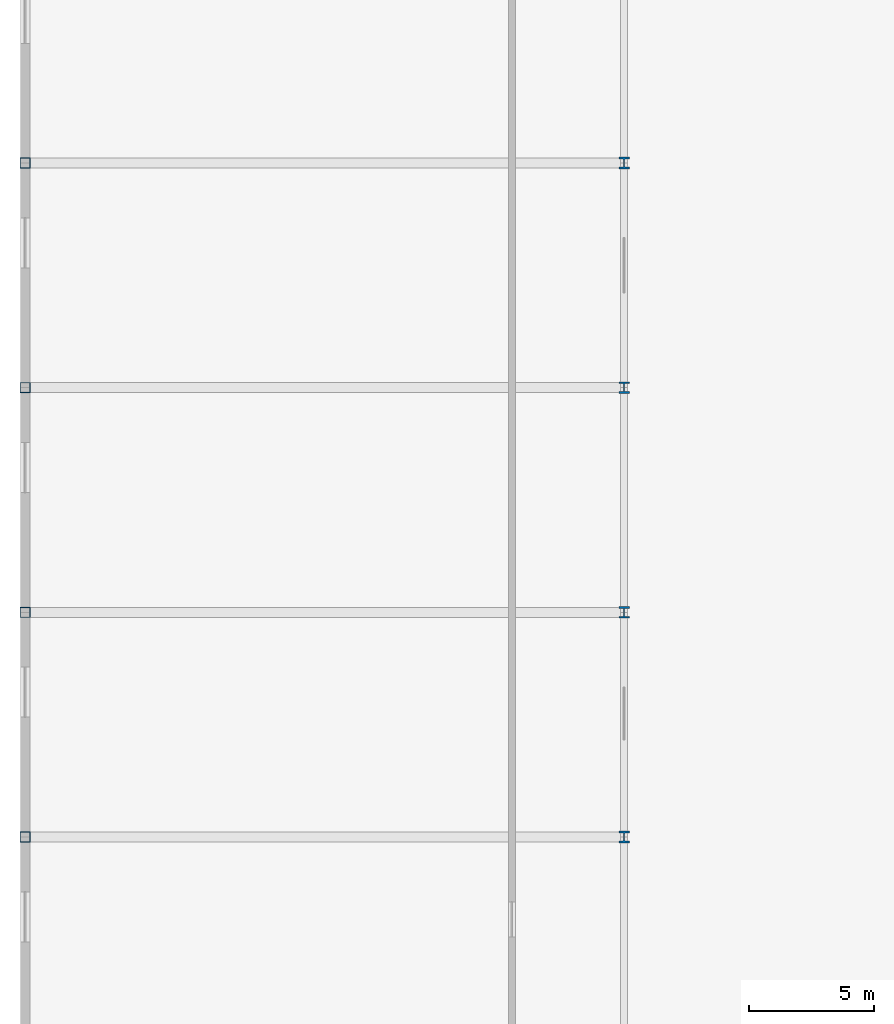
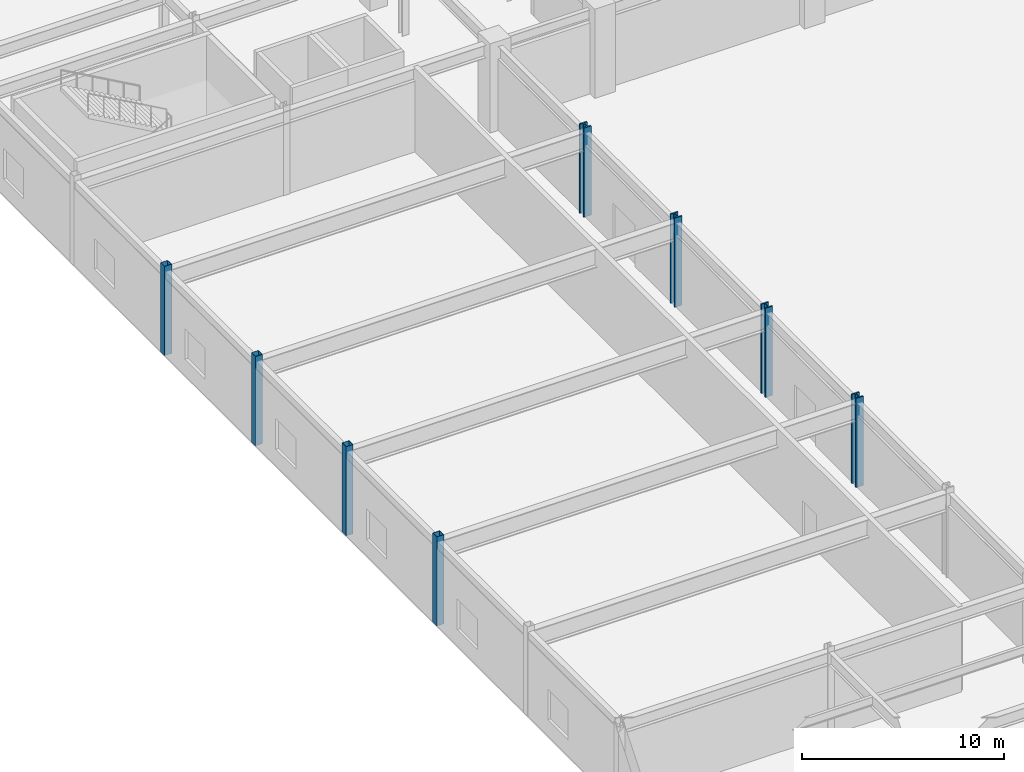
# One storey, part 3 of 100: 8 columns.
"""IFC4 building model written with IfcOpenShell, lengths in metres."""

from ifc_helpers import new_model, si_unit, direction, frame, origin, origin_2d, place, context, subcontext, project, spatial, hollow_rectangle, i_section, extrude, material, material_profile, profile_set, type_object, element, save


model = new_model("IFC4")

# Units and contexts
model_context = context("Model", 3, precision=1e-05, world=origin(), true_north=direction((0.0, 1.0)))
body_context = subcontext(model_context, "Body", "Model", "MODEL_VIEW")
ifc_project = project(units=[si_unit("LENGTHUNIT", "METRE"), si_unit("AREAUNIT", "SQUARE_METRE"), si_unit("VOLUMEUNIT", "CUBIC_METRE"), si_unit("PLANEANGLEUNIT", "RADIAN"), si_unit("MASSUNIT", "GRAM", prefix="KILO")], contexts=[model_context])

# Site, building, storey
site_placement = place(None, origin())
site = spatial("IfcSite", under=ifc_project, at=site_placement, CompositionType="ELEMENT")
building_placement = place(site_placement, origin())
building = spatial("IfcBuilding", under=site, at=building_placement, Name="Kaldorvane Square Convention Centre", CompositionType="ELEMENT")
storey_placement = place(building_placement, frame((0.0, 0.0, 18.0)))
storey = spatial("IfcBuildingStorey", under=building, at=storey_placement, Name="L03", CompositionType="ELEMENT", Elevation=18.0)

# Columns
ifc_material_1 = material(Name="Steel ASTM A500 Gr. C", Category="steel")
ifc_material_profile_1 = material_profile(ifc_material_1, hollow_rectangle(XDim=0.406402587890625, YDim=0.406402587890625, WallThickness=0.014801025390625, at=origin_2d()), Name="HSS16X16X5/8")
ifc_profile_set_1 = profile_set([ifc_material_profile_1], Name="Steel ASTM A500 Gr. C")
column_type_1 = type_object("IfcColumnType", Name="COL-HSS-16", PredefinedType="COLUMN", material=ifc_profile_set_1)
for number, where, z_axis, x_axis, name in (
    (1, (0.0, 36.0, 0.0), (0.0, 0.0, 1.0), (1.0, 0.0, 0.0), "Column SC-14 (L03)"),
    (2, (0.0, 45.0, 0.0), (0.0, 0.0, 1.0), (1.0, 0.0, 0.0), "Column SC-14 (L03)"),
    (3, (0.0, 54.0, 0.0), (0.0, 0.0, 1.0), (1.0, 0.0, 0.0), "Column SC-14 (L03)"),
    (4, (0.0, 63.0, 0.0), (0.0, 0.0, 1.0), (1.0, 0.0, 0.0), "Column SC-14 (L03)"),
):
    element("IfcColumn", number, at=place(storey_placement, frame(where, z_axis=z_axis, x_axis=x_axis)), inside=storey, type_object=column_type_1, Name=name, PredefinedType="COLUMN", context=body_context, shape_type="SweptSolid", body=[
        extrude(hollow_rectangle(XDim=0.406402587890625, YDim=0.406402587890625, WallThickness=0.014801025390625, at=origin_2d()), origin(), (0.0, 0.0, 1.0), 5.399993896484375),
    ])
ifc_material_2 = material(Name="Steel ASTM A992 Gr. 50", Category="steel")
ifc_material_profile_2 = material_profile(ifc_material_2, i_section(OverallWidth=0.424102783203125, OverallDepth=0.4741973876953125, WebThickness=0.047607421875, FlangeThickness=0.0771026611328125, FilletRadius=0.0305023193359375, at=origin_2d()), Name="W14X426")
ifc_profile_set_2 = profile_set([ifc_material_profile_2], Name="Steel ASTM A992 Gr. 50")
column_type_2 = type_object("IfcColumnType", Name="COL-STL-426", PredefinedType="COLUMN", material=ifc_profile_set_2)
for number, where, z_axis, x_axis, name in (
    (5, (24.0, 36.0, 0.0), (0.0, 0.0, 1.0), (1.0, 0.0, 0.0), "Column SC-04 (L03)"),
    (6, (24.0, 45.0, 0.0), (0.0, 0.0, 1.0), (1.0, 0.0, 0.0), "Column SC-04 (L03)"),
    (7, (24.0, 54.0, 0.0), (0.0, 0.0, 1.0), (1.0, 0.0, 0.0), "Column SC-04 (L03)"),
    (8, (24.0, 63.0, 0.0), (0.0, 0.0, 1.0), (1.0, 0.0, 0.0), "Column SC-04 (L03)"),
):
    element("IfcColumn", number, at=place(storey_placement, frame(where, z_axis=z_axis, x_axis=x_axis)), inside=storey, type_object=column_type_2, Name=name, PredefinedType="COLUMN", context=body_context, shape_type="SweptSolid", body=[
        extrude(i_section(OverallWidth=0.424102783203125, OverallDepth=0.4741973876953125, WebThickness=0.047607421875, FlangeThickness=0.0771026611328125, FilletRadius=0.0305023193359375, at=origin_2d()), origin(), (0.0, 0.0, 1.0), 5.399993896484375),
    ])

save(model, "model.ifc")
